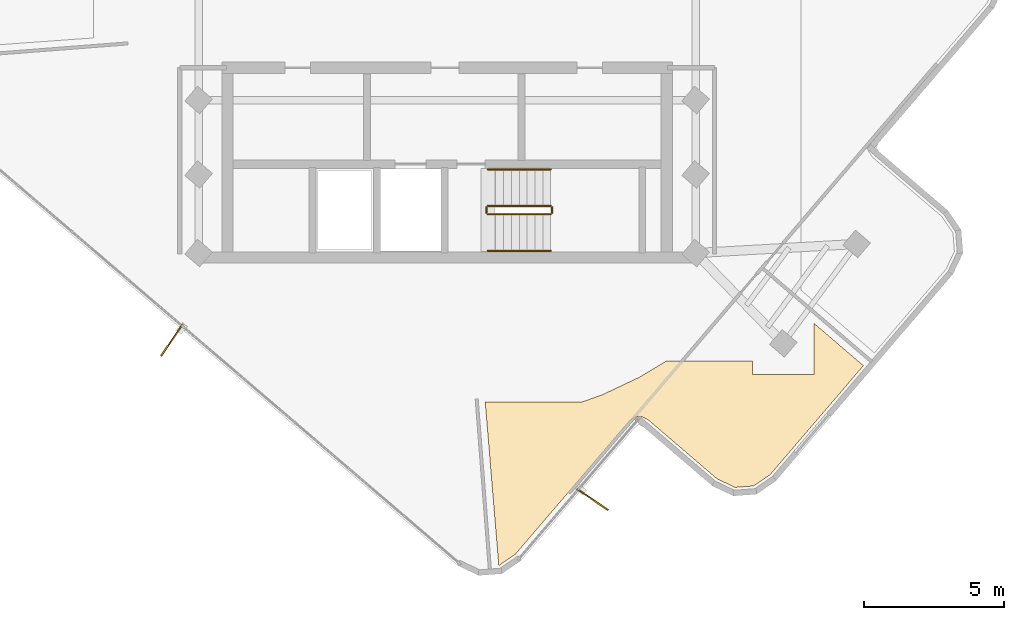
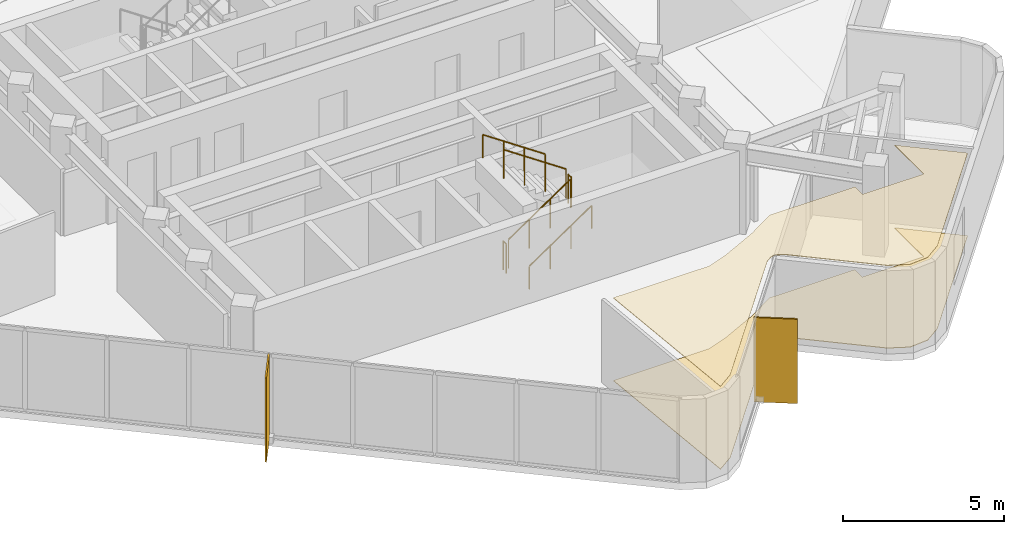
# One storey, part 9 of 11: 6 railings, 2 coverings, 2 shading devices.
"""IFC4 building model written with IfcOpenShell, lengths in metres."""

from ifc_helpers import new_model, si_unit, direction, frame, origin, origin_2d, place, context, subcontext, project, spatial, polyline, rectangle, circle, outline, extrude, material, layer, layer_set, type_object, element, save


model = new_model("IFC4")

# Units and contexts
model_context = context("Model", 3, precision=1e-05, world=origin(), true_north=direction((0.0, 1.0)))
body_context = subcontext(model_context, "Body", "Model", "MODEL_VIEW")
ifc_project = project(units=[si_unit("LENGTHUNIT", "METRE"), si_unit("AREAUNIT", "SQUARE_METRE"), si_unit("VOLUMEUNIT", "CUBIC_METRE"), si_unit("PLANEANGLEUNIT", "RADIAN"), si_unit("MASSUNIT", "GRAM", prefix="KILO")], contexts=[model_context])

# Site, building, storey
site_placement = place(None, origin())
site = spatial("IfcSite", under=ifc_project, at=site_placement, CompositionType="ELEMENT")
building_placement = place(site_placement, origin())
building = spatial("IfcBuilding", under=site, at=building_placement, Name="Solmarez Civic Tower", CompositionType="ELEMENT")
storey_placement = place(building_placement, frame((0.0, 0.0, 250.919921875)))
storey = spatial("IfcBuildingStorey", under=building, at=storey_placement, Name="L67", CompositionType="ELEMENT", Elevation=250.919921875)

# Coverings
ifc_material_1 = material(Name="Perforated Mineral-Fibre Acoustic Ceiling")
ifc_layer_1 = layer(ifc_material_1, 0.02490234375)
ifc_layer_set_1 = layer_set([ifc_layer_1], Name="Perforated Mineral-Fibre Acoustic Ceiling")
covering_type_1 = type_object("IfcCoveringType", Name="COV-CEIL-ACOUSTIC", PredefinedType="CEILING", material=ifc_layer_set_1)
covering_1_placement = place(storey_placement, frame((0.0, 0.0, 3.135009765625)))
element("IfcCovering", 1, at=covering_1_placement, inside=storey, type_object=covering_type_1, Name="L67 Suspended Acoustic Ceiling 3", PredefinedType="CEILING", context=body_context, shape_type="SweptSolid", body=[
    extrude(outline(polyline([(6.5, -14.327880859375), (6.5048828125, -14.323974609375), (6.52099609375, -14.31103515625), (6.6630859375, -14.214111328125), (6.677978515625, -14.205078125), (6.68505859375, -14.200927734375), (6.696044921875, -14.195068359375), (6.701904296875, -14.19189453125), (6.712890625, -14.18701171875), (6.719970703125, -14.18408203125), (6.737060546875, -14.177978515625), (6.75390625, -14.173095703125), (6.761962890625, -14.1708984375), (6.783935546875, -14.166015625), (6.794921875, -14.1650390625), (6.802978515625, -14.1640625), (6.830078125, -14.162109375), (6.837890625, -14.162109375), (6.868896484375, -14.1640625), (6.8759765625, -14.1650390625), (6.89794921875, -14.169921875), (6.906005859375, -14.172119140625), (6.9130859375, -14.173095703125), (6.919921875, -14.175048828125), (6.947021484375, -14.18505859375), (6.9541015625, -14.18798828125), (6.9619140625, -14.19091796875), (7.1201171875, -14.26708984375), (7.1259765625, -14.27001953125), (7.14990234375, -14.283935546875), (7.156005859375, -14.2880859375), (7.1708984375, -14.299072265625), (7.176025390625, -14.302978515625), (7.181884765625, -14.30810546875), (9.613037109375, -16.388916015625), (10.2529296875, -16.695068359375), (10.91796875, -16.64306640625), (11.501953125, -16.241943359375), (14.824951171875, -12.360107421875), (13.071044921875, -10.85791015625), (13.071044921875, -12.666015625), (10.87109375, -12.666015625), (10.87109375, -12.199951171875), (7.797119140625, -12.199951171875), (6.842041015625, -12.77294921875), (6.826904296875, -12.781005859375), (6.81396484375, -12.787109375), (5.552978515625, -13.384033203125), (5.532958984375, -13.39208984375), (4.85107421875, -13.635986328125), (4.844970703125, -13.637939453125), (4.818115234375, -13.64501953125), (4.81298828125, -13.64599609375), (4.7919921875, -13.64892578125), (4.77001953125, -13.64990234375), (1.35595703125, -13.64990234375), (1.840087890625, -19.47607421875), (1.846923828125, -19.47509765625), (2.430908203125, -19.073974609375), (6.4619140625, -14.364990234375), (6.47705078125, -14.347900390625), (6.493896484375, -14.33203125), (6.5, -14.327880859375)])), origin(), (0.0, 0.0, 1.0), 0.025146484375),
])
ifc_material_2 = material(Name="Polished Tropical Stone Terrazzo Flooring", Category="masonry")
ifc_layer_2 = layer(ifc_material_2, 0.02001953125)
ifc_layer_set_2 = layer_set([ifc_layer_2], Name="Polished Tropical Stone Terrazzo Flooring")
covering_type_2 = type_object("IfcCoveringType", Name="COV-FLOOR-TERRAZZO", PredefinedType="FLOORING", material=ifc_layer_set_2)
covering_2_placement = place(storey_placement, origin())
element("IfcCovering", 2, at=covering_2_placement, inside=storey, type_object=covering_type_2, Name="L67 Terrazzo Floor Finish 3", PredefinedType="FLOORING", context=body_context, shape_type="SweptSolid", body=[
    extrude(outline(polyline([(6.5, -14.327880859375), (6.5048828125, -14.323974609375), (6.52099609375, -14.31103515625), (6.6630859375, -14.214111328125), (6.677978515625, -14.205078125), (6.68505859375, -14.200927734375), (6.696044921875, -14.195068359375), (6.701904296875, -14.19189453125), (6.712890625, -14.18701171875), (6.719970703125, -14.18408203125), (6.737060546875, -14.177978515625), (6.75390625, -14.173095703125), (6.761962890625, -14.1708984375), (6.783935546875, -14.166015625), (6.794921875, -14.1650390625), (6.802978515625, -14.1640625), (6.830078125, -14.162109375), (6.837890625, -14.162109375), (6.868896484375, -14.1640625), (6.8759765625, -14.1650390625), (6.89794921875, -14.169921875), (6.906005859375, -14.172119140625), (6.9130859375, -14.173095703125), (6.919921875, -14.175048828125), (6.947021484375, -14.18505859375), (6.9541015625, -14.18798828125), (6.9619140625, -14.19091796875), (7.1201171875, -14.26708984375), (7.1259765625, -14.27001953125), (7.14990234375, -14.283935546875), (7.156005859375, -14.2880859375), (7.1708984375, -14.299072265625), (7.176025390625, -14.302978515625), (7.181884765625, -14.30810546875), (9.613037109375, -16.388916015625), (10.2529296875, -16.695068359375), (10.91796875, -16.64306640625), (11.501953125, -16.241943359375), (14.824951171875, -12.360107421875), (13.071044921875, -10.85791015625), (13.071044921875, -12.666015625), (10.87109375, -12.666015625), (10.87109375, -12.199951171875), (7.797119140625, -12.199951171875), (6.842041015625, -12.77294921875), (6.826904296875, -12.781005859375), (6.81396484375, -12.787109375), (5.552978515625, -13.384033203125), (5.532958984375, -13.39208984375), (4.85107421875, -13.635986328125), (4.844970703125, -13.637939453125), (4.818115234375, -13.64501953125), (4.81298828125, -13.64599609375), (4.7919921875, -13.64892578125), (4.77001953125, -13.64990234375), (1.35595703125, -13.64990234375), (1.840087890625, -19.47607421875), (1.846923828125, -19.47509765625), (2.430908203125, -19.073974609375), (6.4619140625, -14.364990234375), (6.47705078125, -14.347900390625), (6.493896484375, -14.33203125), (6.5, -14.327880859375)])), origin(), (0.0, 0.0, 1.0), 0.02001953125),
])

# Shading devices
ifc_material_3 = material(Name="Bronze Anodised Aluminium EN AW-6063 T6", Category="aluminium")
ifc_layer_3 = layer(ifc_material_3, 0.054931640625)
ifc_layer_set_3 = layer_set([ifc_layer_3], Name="Bronze Anodised Aluminium EN AW-6063 T6")
shading_device_type = type_object("IfcShadingDeviceType", Name="FIN-BRONZE-Z56", PredefinedType="USERDEFINED", material=ifc_layer_set_3)
for number, where, z_axis, x_axis, name in (
    (3, (5.18408203125, -17.126953125, -0.0400390625), (0.0, 0.0, 1.0), (0.827355161259, -0.561679122932, 0.0), "L67 Anodised Bronze Solar Fin FIN-L67-01"),
    (4, (-9.802001953125, -11.452880859375, -0.0400390625), (0.0, 0.0, 1.0), (-0.561650242447, -0.827374767055, 0.0), "L67 Anodised Bronze Solar Fin FIN-L67-02"),
):
    element("IfcShadingDevice", number, at=place(storey_placement, frame(where, z_axis=z_axis, x_axis=x_axis)), inside=storey, type_object=shading_device_type, Name=name, ObjectType="FIN", PredefinedType="USERDEFINED", context=body_context, shape_type="SweptSolid", body=[
        extrude(rectangle(XDim=1.35009765625, YDim=0.054931640625, at=origin_2d()), origin(), (0.0, 0.0, 1.0), 3.199951171875),
    ])

# Railings
ifc_material_4 = material(Name="Painted Steel Stairwell Safety Guard", Category="steel")
railing_type_1 = type_object("IfcRailingType", Name="GUARD-STAIR-1120", PredefinedType="BALUSTRADE", material=ifc_material_4)
railing_1_placement = place(storey_placement, frame((1.449951171875, -6.969970703125, 0.190185546875)))
element("IfcRailing", 5, at=railing_1_placement, inside=storey, type_object=railing_type_1, Name="L67 ST-2 stair guard 1", PredefinedType="BALUSTRADE", context=body_context, shape_type="SweptSolid", body=[
    extrude(circle(Radius=0.02392578125, at=origin_2d()), frame((0.0, 0.0, 1.09619140625), z_axis=(0.827513188522, 0.0, 0.561446277771), x_axis=(0.0, 1.0, 0.0)), (0.0, 0.0, 1.0), 2.706787109375),
    extrude(circle(Radius=0.02099609375, at=origin_2d()), origin(), (0.0, 0.0, 1.0), 1.072021484375),
    extrude(circle(Radius=0.02099609375, at=origin_2d()), frame((0.74658203125, 0.0, 0.506591796875)), (0.0, 0.0, 1.0), 1.072021484375),
    extrude(circle(Radius=0.02099609375, at=origin_2d()), frame((1.493408203125, 0.0, 1.01318359375)), (0.0, 0.0, 1.0), 1.072021484375),
    extrude(circle(Radius=0.02099609375, at=origin_2d()), frame((2.239990234375, 0.0, 1.519775390625)), (0.0, 0.0, 1.0), 1.072021484375),
])
railing_2_placement = place(storey_placement, frame((3.739990234375, -6.919921875, 1.7099609375)))
element("IfcRailing", 6, at=railing_2_placement, inside=storey, type_object=railing_type_1, Name="L67 ST-2 stair guard 2", PredefinedType="BALUSTRADE", context=body_context, shape_type="SweptSolid", body=[
    extrude(circle(Radius=0.02392578125, at=origin_2d()), frame((0.0, 0.0, 1.09619140625), z_axis=(0.0, 1.0, 0.0), x_axis=(-1.0, 0.0, 0.0)), (0.0, 0.0, 1.0), 0.199951171875),
    extrude(circle(Radius=0.02099609375, at=origin_2d()), origin(), (0.0, 0.0, 1.0), 1.072021484375),
    extrude(circle(Radius=0.02099609375, at=origin_2d()), frame((0.0, 0.199951171875, 0.0)), (0.0, 0.0, 1.0), 1.072021484375),
])
railing_3_placement = place(storey_placement, frame((3.68994140625, -6.669921875, 1.900146484375)))
element("IfcRailing", 7, at=railing_3_placement, inside=storey, type_object=railing_type_1, Name="L67 ST-2 stair guard 3", PredefinedType="BALUSTRADE", context=body_context, shape_type="SweptSolid", body=[
    extrude(circle(Radius=0.02392578125, at=origin_2d()), frame((0.0, 0.0, 1.09619140625), z_axis=(-0.827471284677, 0.0, 0.561508034703), x_axis=(0.0, -1.0, 0.0)), (0.0, 0.0, 1.0), 2.70703125),
    extrude(circle(Radius=0.02099609375, at=origin_2d()), origin(), (0.0, 0.0, 1.0), 1.072021484375),
    extrude(circle(Radius=0.02099609375, at=origin_2d()), frame((-0.74658203125, 0.0, 0.506591796875)), (0.0, 0.0, 1.0), 1.072021484375),
    extrude(circle(Radius=0.02099609375, at=origin_2d()), frame((-1.493408203125, 0.0, 1.013427734375)), (0.0, 0.0, 1.0), 1.072021484375),
    extrude(circle(Radius=0.02099609375, at=origin_2d()), frame((-2.239990234375, 0.0, 1.52001953125)), (0.0, 0.0, 1.0), 1.072021484375),
])
railing_4_placement = place(storey_placement, frame((1.39990234375, -6.919921875, 0.0)))
element("IfcRailing", 8, at=railing_4_placement, inside=storey, type_object=railing_type_1, Name="L67 ST-2 stair guard 4", PredefinedType="BALUSTRADE", context=body_context, shape_type="SweptSolid", body=[
    extrude(circle(Radius=0.02392578125, at=origin_2d()), frame((0.0, 0.0, 1.09619140625), z_axis=(0.0, 1.0, 0.0), x_axis=(-1.0, 0.0, 0.0)), (0.0, 0.0, 1.0), 0.199951171875),
    extrude(circle(Radius=0.02099609375, at=origin_2d()), origin(), (0.0, 0.0, 1.0), 1.072021484375),
    extrude(circle(Radius=0.02099609375, at=origin_2d()), frame((0.0, 0.199951171875, 0.0)), (0.0, 0.0, 1.0), 1.072021484375),
])
ifc_material_5 = material(Name="Brushed Stainless Steel Tube Handrail", Category="steel")
railing_type_2 = type_object("IfcRailingType", Name="HANDRAIL-STAIR-900", PredefinedType="HANDRAIL", material=ifc_material_5)
railing_5_placement = place(storey_placement, frame((1.449951171875, -8.27001953125, 0.190185546875)))
element("IfcRailing", 9, at=railing_5_placement, inside=storey, type_object=railing_type_2, Name="L67 ST-2 stair handrail 1", PredefinedType="HANDRAIL", context=body_context, shape_type="SweptSolid", body=[
    extrude(circle(Radius=0.02392578125, at=origin_2d()), frame((0.0, 0.0, 0.8759765625), z_axis=(0.827513188522, 0.0, 0.561446277771), x_axis=(0.0, 1.0, 0.0)), (0.0, 0.0, 1.0), 2.706787109375),
    extrude(circle(Radius=0.02099609375, at=origin_2d()), origin(), (0.0, 0.0, 1.0), 0.851806640625),
    extrude(circle(Radius=0.02099609375, at=origin_2d()), frame((0.74658203125, 0.0, 0.506591796875)), (0.0, 0.0, 1.0), 0.851806640625),
    extrude(circle(Radius=0.02099609375, at=origin_2d()), frame((1.493408203125, 0.0, 1.01318359375)), (0.0, 0.0, 1.0), 0.851806640625),
    extrude(circle(Radius=0.02099609375, at=origin_2d()), frame((2.239990234375, 0.0, 1.519775390625)), (0.0, 0.0, 1.0), 0.851806640625),
])
railing_6_placement = place(storey_placement, frame((3.68994140625, -5.3701171875, 1.900146484375)))
element("IfcRailing", 10, at=railing_6_placement, inside=storey, type_object=railing_type_2, Name="L67 ST-2 stair handrail 2", PredefinedType="HANDRAIL", context=body_context, shape_type="SweptSolid", body=[
    extrude(circle(Radius=0.02392578125, at=origin_2d()), frame((0.0, 0.0, 0.8759765625), z_axis=(-0.827471284677, 0.0, 0.561508034703), x_axis=(0.0, -1.0, 0.0)), (0.0, 0.0, 1.0), 2.70703125),
    extrude(circle(Radius=0.02099609375, at=origin_2d()), origin(), (0.0, 0.0, 1.0), 0.851806640625),
    extrude(circle(Radius=0.02099609375, at=origin_2d()), frame((-0.74658203125, 0.0, 0.506591796875)), (0.0, 0.0, 1.0), 0.851806640625),
    extrude(circle(Radius=0.02099609375, at=origin_2d()), frame((-1.493408203125, 0.0, 1.013427734375)), (0.0, 0.0, 1.0), 0.851806640625),
    extrude(circle(Radius=0.02099609375, at=origin_2d()), frame((-2.239990234375, 0.0, 1.52001953125)), (0.0, 0.0, 1.0), 0.851806640625),
])

save(model, "model.ifc")
